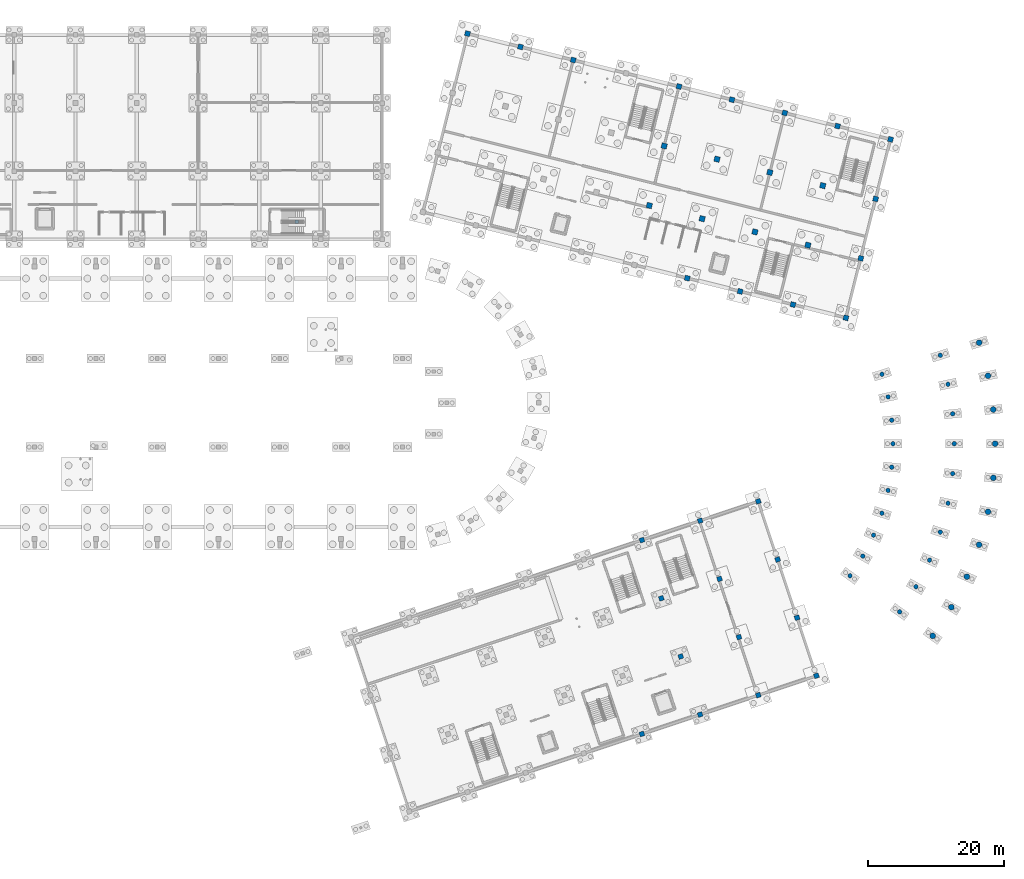
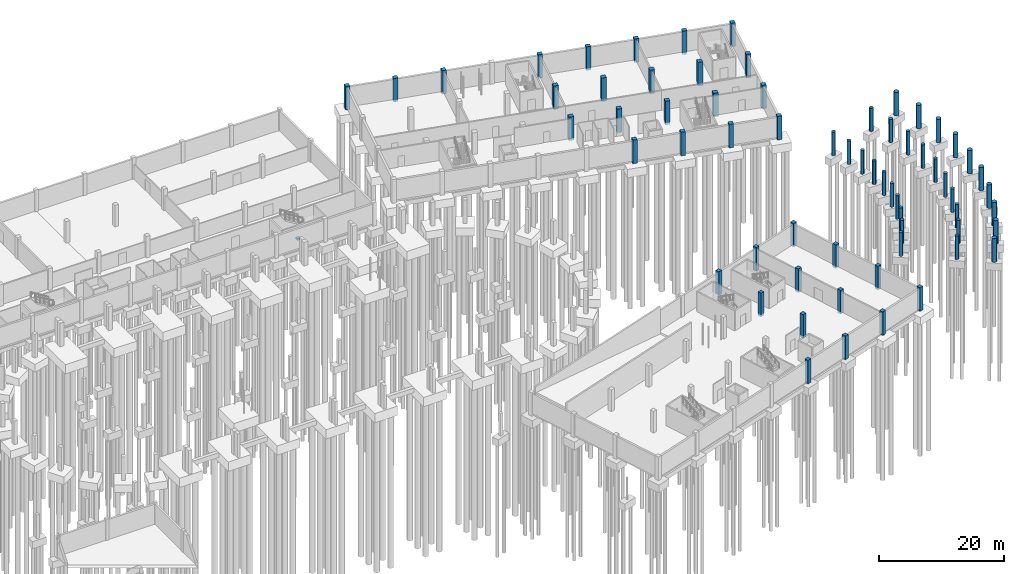
# One storey, part 17 of 36: 66 columns.
"""IFC4 building model written with IfcOpenShell, lengths in metres."""

from ifc_helpers import new_model, si_unit, derived_unit, direction, frame, origin, origin_2d, place, context, subcontext, project, spatial, rectangle, circle, extrude, material, material_profile, profile_set, type_object, element, save


model = new_model("IFC4")

# Units and contexts
model_context = context("Model", 3, precision=1e-05, world=origin(), true_north=direction((0.0, 1.0)))
body_context = subcontext(model_context, "Body", "Model", "MODEL_VIEW")
ifc_project = project(units=[si_unit("LENGTHUNIT", "METRE"), si_unit("AREAUNIT", "SQUARE_METRE"), si_unit("VOLUMEUNIT", "CUBIC_METRE"), si_unit("PLANEANGLEUNIT", "RADIAN"), si_unit("MASSUNIT", "GRAM", prefix="KILO"), si_unit("THERMODYNAMICTEMPERATUREUNIT", "KELVIN"), si_unit("TIMEUNIT", "SECOND"), derived_unit("THERMALTRANSMITTANCEUNIT", [(si_unit("MASSUNIT", "GRAM", prefix="KILO"), 1), (si_unit("THERMODYNAMICTEMPERATUREUNIT", "KELVIN"), -1), (si_unit("TIMEUNIT", "SECOND"), -3)])], contexts=[model_context])

# Site, building, storey
site_placement = place(None, origin())
site = spatial("IfcSite", under=ifc_project, at=site_placement, CompositionType="ELEMENT")
building_placement = place(site_placement, origin())
building = spatial("IfcBuilding", under=site, at=building_placement, Name="Cambertide Market Hall", CompositionType="ELEMENT")
storey_placement = place(building_placement, frame((0.0, 0.0, -4.199951171875)))
storey = spatial("IfcBuildingStorey", under=building, at=storey_placement, Name="B1", CompositionType="ELEMENT", Elevation=-4.199951171875)

# Columns
ifc_material_1 = material(Name="Concrete B30", Category="concrete")
ifc_material_profile_1 = material_profile(ifc_material_1, rectangle(XDim=0.5, YDim=0.5, at=origin_2d()), Name="RC 500x500")
ifc_profile_set_1 = profile_set([ifc_material_profile_1], Name="Concrete B30")
column_type_1 = type_object("IfcColumnType", Name="Concrete Column RC 500x500", PredefinedType="COLUMN", material=ifc_profile_set_1)
column_placement = place(storey_placement, frame((89.5, 98.550048828125, -0.400146484375), z_axis=(0.0, 0.0, 1.0), x_axis=(1.0, 0.0, 0.0)))
element("IfcColumn", 1, at=column_placement, inside=storey, type_object=column_type_1, Name="Basement 1 Column COL-ST04-SUP-B1", PredefinedType="COLUMN", context=body_context, shape_type="SweptSolid", body=[
    extrude(rectangle(XDim=0.5, YDim=0.5, at=origin_2d()), origin(), (0.0, 0.0, 1.0), 0.400146484375),
])
ifc_material_2 = material(Name="Concrete B35", Category="concrete")
ifc_material_profile_2 = material_profile(ifc_material_2, rectangle(XDim=0.699951171875, YDim=0.699951171875, at=origin_2d()), Name="RC 700x700")
ifc_profile_set_2 = profile_set([ifc_material_profile_2], Name="Concrete B35")
column_type_2 = type_object("IfcColumnType", Name="Concrete Column RC 700x700", PredefinedType="COLUMN", material=ifc_profile_set_2)
for number, where, z_axis, x_axis, name in (
    (2, (140.152587890625, 23.38427734375, -0.400146484375), (0.0, 0.0, 1.0), (0.94868329805, 0.316227766018, 0.0), "Basement 1 Column COL-V3-5-1-B1"),
    (3, (148.690673828125, 26.230224609375, -0.400146484375), (0.0, 0.0, 1.0), (0.94868329805, 0.316227766018, 0.0), "Basement 1 Column COL-V3-6-1-B1"),
    (4, (145.8447265625, 34.768310546875, -0.400146484375), (0.0, 0.0, 1.0), (0.94868329805, 0.316227766018, 0.0), "Basement 1 Column COL-V3-6-2-B1"),
    (5, (142.99853515625, 43.306640625, -0.400146484375), (0.0, 0.0, 1.0), (0.94868329805, 0.316227766018, 0.0), "Basement 1 Column COL-V3-6-3-B1"),
    (6, (140.152587890625, 51.8447265625, -0.400146484375), (0.0, 0.0, 1.0), (0.94868329805, 0.316227766018, 0.0), "Basement 1 Column COL-V3-6-4-B1"),
    (7, (157.22900390625, 29.076416015625, -0.400146484375), (0.0, 0.0, 1.0), (0.94868329805, 0.316227766018, 0.0), "Basement 1 Column COL-V3-7-1-B1"),
    (8, (154.3828125, 37.614501953125, -0.400146484375), (0.0, 0.0, 1.0), (0.94868329805, 0.316227766018, 0.0), "Basement 1 Column COL-V3-7-2-B1"),
    (9, (151.536865234375, 46.152587890625, -0.400146484375), (0.0, 0.0, 1.0), (0.94868329805, 0.316227766018, 0.0), "Basement 1 Column COL-V3-7-3-B1"),
    (10, (148.690673828125, 54.690673828125, -0.400146484375), (0.0, 0.0, 1.0), (0.94868329805, 0.316227766018, 0.0), "Basement 1 Column COL-V3-7-4-B1"),
    (11, (165.76708984375, 31.92236328125, -0.400146484375), (0.0, 0.0, 1.0), (0.94868329805, 0.316227766018, 0.0), "Basement 1 Column COL-V3-8-1-B1"),
    (12, (162.9208984375, 40.46044921875, -0.400146484375), (0.0, 0.0, 1.0), (0.94868329805, 0.316227766018, 0.0), "Basement 1 Column COL-V3-8-2-B1"),
    (13, (160.074951171875, 48.99853515625, -0.400146484375), (0.0, 0.0, 1.0), (0.94868329805, 0.316227766018, 0.0), "Basement 1 Column COL-V3-8-3-B1"),
    (14, (157.22900390625, 57.536865234375, -0.400146484375), (0.0, 0.0, 1.0), (0.94868329805, 0.316227766018, 0.0), "Basement 1 Column COL-V3-8-4-B1"),
):
    element("IfcColumn", number, at=place(storey_placement, frame(where, z_axis=z_axis, x_axis=x_axis)), inside=storey, type_object=column_type_2, Name=name, PredefinedType="COLUMN", context=body_context, shape_type="SweptSolid", body=[
        extrude(rectangle(XDim=0.699951171875, YDim=0.699951171875, at=origin_2d()), origin(), (0.0, 0.0, 1.0), 4.60009765625),
    ])
ifc_material_3 = material(Name="Concrete B35", Category="concrete")
ifc_material_profile_3 = material_profile(ifc_material_3, rectangle(XDim=0.75, YDim=0.75, at=origin_2d()), Name="RC 750x750")
ifc_profile_set_3 = profile_set([ifc_material_profile_3], Name="Concrete B35")
column_type_3 = type_object("IfcColumnType", Name="Concrete Column RC 750x750", PredefinedType="COLUMN", material=ifc_profile_set_3)
for number, where, z_axis, x_axis, name in (
    (15, (114.548583984375, 126.19384765625, -0.400146484375), (0.0, 0.0, 1.0), (0.970142500145, -0.242535625038, 0.0), "Basement 1 Column COL-V4-1-4-B1"),
    (16, (122.3095703125, 124.253662109375, -0.400146484375), (0.0, 0.0, 1.0), (0.970142500145, -0.242535625038, 0.0), "Basement 1 Column COL-V4-2-4-B1"),
    (17, (130.07080078125, 122.313232421875, -0.400146484375), (0.0, 0.0, 1.0), (0.970142500145, -0.242535625038, 0.0), "Basement 1 Column COL-V4-3-4-B1"),
    (18, (145.593017578125, 118.4326171875, -0.400146484375), (0.0, 0.0, 1.0), (0.970142500145, -0.242535625038, 0.0), "Basement 1 Column COL-V4-5-4-B1"),
    (19, (146.8056640625, 90.298583984375, -0.400146484375), (0.0, 0.0, 1.0), (0.970142500145, -0.242535625038, 0.0), "Basement 1 Column COL-V4-6-1-B1"),
    (20, (153.354248046875, 116.492431640625, -0.400146484375), (0.0, 0.0, 1.0), (0.970142500145, -0.242535625038, 0.0), "Basement 1 Column COL-V4-6-4-B1"),
    (21, (154.56689453125, 88.3583984375, -0.400146484375), (0.0, 0.0, 1.0), (0.970142500145, -0.242535625038, 0.0), "Basement 1 Column COL-V4-7-1-B1"),
    (22, (161.115234375, 114.55224609375, -0.400146484375), (0.0, 0.0, 1.0), (0.970142500145, -0.242535625038, 0.0), "Basement 1 Column COL-V4-7-4-B1"),
    (23, (162.327880859375, 86.41796875, -0.400146484375), (0.0, 0.0, 1.0), (0.970142500145, -0.242535625038, 0.0), "Basement 1 Column COL-V4-8-1-B1"),
    (24, (168.87646484375, 112.61181640625, -0.400146484375), (0.0, 0.0, 1.0), (0.970142500145, -0.242535625038, 0.0), "Basement 1 Column COL-V4-8-4-B1"),
    (25, (170.089111328125, 84.477783203125, -0.400146484375), (0.0, 0.0, 1.0), (0.970142500145, -0.242535625038, 0.0), "Basement 1 Column COL-V4-9-1-B1"),
    (26, (172.27197265625, 93.208984375, -0.400146484375), (0.0, 0.0, 1.0), (0.970142500145, -0.242535625038, 0.0), "Basement 1 Column COL-V4-9-2-B1"),
    (27, (174.454833984375, 101.940185546875, -0.400146484375), (0.0, 0.0, 1.0), (0.970142500145, -0.242535625038, 0.0), "Basement 1 Column COL-V4-9-3-B1"),
    (28, (176.6376953125, 110.671630859375, -0.400146484375), (0.0, 0.0, 1.0), (0.970142500145, -0.242535625038, 0.0), "Basement 1 Column COL-V4-9-4-B1"),
):
    element("IfcColumn", number, at=place(storey_placement, frame(where, z_axis=z_axis, x_axis=x_axis)), inside=storey, type_object=column_type_3, Name=name, PredefinedType="COLUMN", context=body_context, shape_type="SweptSolid", body=[
        extrude(rectangle(XDim=0.75, YDim=0.75, at=origin_2d()), origin(), (0.0, 0.0, 1.0), 4.60009765625),
    ])
ifc_material_4 = material(Name="Concrete B35", Category="concrete")
ifc_material_profile_4 = material_profile(ifc_material_4, rectangle(XDim=0.800048828125, YDim=0.800048828125, at=origin_2d()), Name="RC 800x800")
ifc_profile_set_4 = profile_set([ifc_material_profile_4], Name="Concrete B35")
column_type_4 = type_object("IfcColumnType", Name="Concrete Column RC 800x800", PredefinedType="COLUMN", material=ifc_profile_set_4)
for number, where, z_axis, x_axis, name in (
    (29, (141.227294921875, 100.97021484375, -0.400146484375), (0.0, 0.0, 1.0), (0.970142500145, -0.242535625038, 0.0), "Basement 1 Column COL-V4-5-2-B1"),
    (30, (143.41015625, 109.701416015625, -0.400146484375), (0.0, 0.0, 1.0), (0.970142500145, -0.242535625038, 0.0), "Basement 1 Column COL-V4-5-3-B1"),
    (31, (148.988525390625, 99.02978515625, -0.400146484375), (0.0, 0.0, 1.0), (0.970142500145, -0.242535625038, 0.0), "Basement 1 Column COL-V4-6-2-B1"),
    (32, (151.17138671875, 107.76123046875, -0.400146484375), (0.0, 0.0, 1.0), (0.970142500145, -0.242535625038, 0.0), "Basement 1 Column COL-V4-6-3-B1"),
    (33, (156.749755859375, 97.089599609375, -0.400146484375), (0.0, 0.0, 1.0), (0.970142500145, -0.242535625038, 0.0), "Basement 1 Column COL-V4-7-2-B1"),
    (34, (158.932373046875, 105.82080078125, -0.400146484375), (0.0, 0.0, 1.0), (0.970142500145, -0.242535625038, 0.0), "Basement 1 Column COL-V4-7-3-B1"),
    (35, (164.5107421875, 95.149169921875, -0.400146484375), (0.0, 0.0, 1.0), (0.970142500145, -0.242535625038, 0.0), "Basement 1 Column COL-V4-8-2-B1"),
    (36, (166.693603515625, 103.880615234375, -0.400146484375), (0.0, 0.0, 1.0), (0.970142500145, -0.242535625038, 0.0), "Basement 1 Column COL-V4-8-3-B1"),
):
    element("IfcColumn", number, at=place(storey_placement, frame(where, z_axis=z_axis, x_axis=x_axis)), inside=storey, type_object=column_type_4, Name=name, PredefinedType="COLUMN", context=body_context, shape_type="SweptSolid", body=[
        extrude(rectangle(XDim=0.800048828125, YDim=0.800048828125, at=origin_2d()), origin(), (0.0, 0.0, 1.0), 4.60009765625),
    ])
ifc_material_5 = material(Name="Concrete B35", Category="concrete")
ifc_material_profile_5 = material_profile(ifc_material_5, circle(Radius=0.324951171875, at=origin_2d()), Name="RC D650")
ifc_profile_set_5 = profile_set([ifc_material_profile_5], Name="Concrete B35")
column_type_5 = type_object("IfcColumnType", Name="Concrete Column RC D650", PredefinedType="COLUMN", material=ifc_profile_set_5)
for number, where, z_axis, x_axis, name in (
    (37, (170.697509765625, 46.60302734375, -0.400146484375), (0.0, 0.0, 1.0), (0.809016994375, -0.587785252292, 0.0), "Basement 1 Column COL-V5-IN00-B1"),
    (38, (172.578857421875, 49.5, -0.400146484375), (0.0, 0.0, 1.0), (0.866025403784, -0.5, 0.0), "Basement 1 Column COL-V5-IN02-B1"),
    (39, (174.14697265625, 52.57763671875, -0.400146484375), (0.0, 0.0, 1.0), (0.913545457643, -0.406736643076, 0.0), "Basement 1 Column COL-V5-IN04-B1"),
    (40, (175.384765625, 55.802490234375, -0.400146484375), (0.0, 0.0, 1.0), (0.951056516295, -0.309016994375, 0.0), "Basement 1 Column COL-V5-IN06-B1"),
    (41, (176.27880859375, 59.138916015625, -0.400146484375), (0.0, 0.0, 1.0), (0.978147600734, -0.207911690818, 0.0), "Basement 1 Column COL-V5-IN08-B1"),
    (42, (176.8193359375, 62.550537109375, -0.400146484375), (0.0, 0.0, 1.0), (0.994521895368, -0.104528463268, 0.0), "Basement 1 Column COL-V5-IN10-B1"),
    (43, (177.0, 66.0, -0.400146484375), (0.0, 0.0, 1.0), (1.0, 0.0, 0.0), "Basement 1 Column COL-V5-IN12-B1"),
    (44, (176.8193359375, 69.449462890625, -0.400146484375), (0.0, 0.0, 1.0), (0.994521895368, 0.104528463268, 0.0), "Basement 1 Column COL-V5-IN14-B1"),
    (45, (176.27880859375, 72.861083984375, -0.400146484375), (0.0, 0.0, 1.0), (0.978147600734, 0.207911690818, 0.0), "Basement 1 Column COL-V5-IN16-B1"),
    (46, (175.384765625, 76.197509765625, -0.400146484375), (0.0, 0.0, 1.0), (0.951056516295, 0.309016994375, 0.0), "Basement 1 Column COL-V5-IN18-B1"),
    (47, (177.978759765625, 41.31298828125, -0.400146484375), (0.0, 0.0, 1.0), (0.809016994375, -0.587785252292, 0.0), "Basement 1 Column COL-V5-MID00-B1"),
    (48, (180.373046875, 45.0, -0.400146484375), (0.0, 0.0, 1.0), (0.866025403784, -0.5, 0.0), "Basement 1 Column COL-V5-MID02-B1"),
    (49, (182.368896484375, 48.9169921875, -0.400146484375), (0.0, 0.0, 1.0), (0.913545457643, -0.406736643076, 0.0), "Basement 1 Column COL-V5-MID04-B1"),
    (50, (183.9443359375, 53.021240234375, -0.400146484375), (0.0, 0.0, 1.0), (0.951056516295, -0.309016994375, 0.0), "Basement 1 Column COL-V5-MID06-B1"),
    (51, (185.082275390625, 57.267822265625, -0.400146484375), (0.0, 0.0, 1.0), (0.978147600734, -0.207911690818, 0.0), "Basement 1 Column COL-V5-MID08-B1"),
    (52, (185.77001953125, 61.60986328125, -0.400146484375), (0.0, 0.0, 1.0), (0.994521895368, -0.104528463268, 0.0), "Basement 1 Column COL-V5-MID10-B1"),
    (53, (186.0, 66.0, -0.400146484375), (0.0, 0.0, 1.0), (1.0, 0.0, 0.0), "Basement 1 Column COL-V5-MID12-B1"),
    (54, (185.77001953125, 70.39013671875, -0.400146484375), (0.0, 0.0, 1.0), (0.994521895368, 0.104528463268, 0.0), "Basement 1 Column COL-V5-MID14-B1"),
    (55, (185.082275390625, 74.732177734375, -0.400146484375), (0.0, 0.0, 1.0), (0.978147600734, 0.207911690818, 0.0), "Basement 1 Column COL-V5-MID16-B1"),
    (56, (183.9443359375, 78.978759765625, -0.400146484375), (0.0, 0.0, 1.0), (0.951056516295, 0.309016994375, 0.0), "Basement 1 Column COL-V5-MID18-B1"),
):
    element("IfcColumn", number, at=place(storey_placement, frame(where, z_axis=z_axis, x_axis=x_axis)), inside=storey, type_object=column_type_5, Name=name, PredefinedType="COLUMN", context=body_context, shape_type="SweptSolid", body=[
        extrude(circle(Radius=0.324951171875, at=origin_2d()), origin(), (0.0, 0.0, 1.0), 4.60009765625),
    ])
ifc_material_6 = material(Name="Concrete B35", Category="concrete")
ifc_material_profile_6 = material_profile(ifc_material_6, circle(Radius=0.425048828125, at=origin_2d()), Name="RC D850")
ifc_profile_set_6 = profile_set([ifc_material_profile_6], Name="Concrete B35")
column_type_6 = type_object("IfcColumnType", Name="Concrete Column RC D850", PredefinedType="COLUMN", material=ifc_profile_set_6)
for number, where, z_axis, x_axis, name in (
    (57, (182.832763671875, 37.786376953125, -0.400146484375), (0.0, 0.0, 1.0), (0.809016994375, -0.587785252292, 0.0), "Basement 1 Column COL-V5-OUT00-B1"),
    (58, (185.5693359375, 42.0, -0.400146484375), (0.0, 0.0, 1.0), (0.866025403784, -0.5, 0.0), "Basement 1 Column COL-V5-OUT02-B1"),
    (59, (187.85009765625, 46.4765625, -0.400146484375), (0.0, 0.0, 1.0), (0.913545457643, -0.406736643076, 0.0), "Basement 1 Column COL-V5-OUT04-B1"),
    (60, (189.650634765625, 51.167236328125, -0.400146484375), (0.0, 0.0, 1.0), (0.951056516295, -0.309016994375, 0.0), "Basement 1 Column COL-V5-OUT06-B1"),
    (61, (190.951171875, 56.020263671875, -0.400146484375), (0.0, 0.0, 1.0), (0.978147600734, -0.207911690818, 0.0), "Basement 1 Column COL-V5-OUT08-B1"),
    (62, (191.737060546875, 60.982666015625, -0.400146484375), (0.0, 0.0, 1.0), (0.994521895368, -0.104528463268, 0.0), "Basement 1 Column COL-V5-OUT10-B1"),
    (63, (192.0, 66.0, -0.400146484375), (0.0, 0.0, 1.0), (1.0, 0.0, 0.0), "Basement 1 Column COL-V5-OUT12-B1"),
    (64, (191.737060546875, 71.017333984375, -0.400146484375), (0.0, 0.0, 1.0), (0.994521895368, 0.104528463268, 0.0), "Basement 1 Column COL-V5-OUT14-B1"),
    (65, (190.951171875, 75.979736328125, -0.400146484375), (0.0, 0.0, 1.0), (0.978147600734, 0.207911690818, 0.0), "Basement 1 Column COL-V5-OUT16-B1"),
    (66, (189.650634765625, 80.832763671875, -0.400146484375), (0.0, 0.0, 1.0), (0.951056516295, 0.309016994375, 0.0), "Basement 1 Column COL-V5-OUT18-B1"),
):
    element("IfcColumn", number, at=place(storey_placement, frame(where, z_axis=z_axis, x_axis=x_axis)), inside=storey, type_object=column_type_6, Name=name, PredefinedType="COLUMN", context=body_context, shape_type="SweptSolid", body=[
        extrude(circle(Radius=0.425048828125, at=origin_2d()), origin(), (0.0, 0.0, 1.0), 4.60009765625),
    ])

save(model, "model.ifc")
